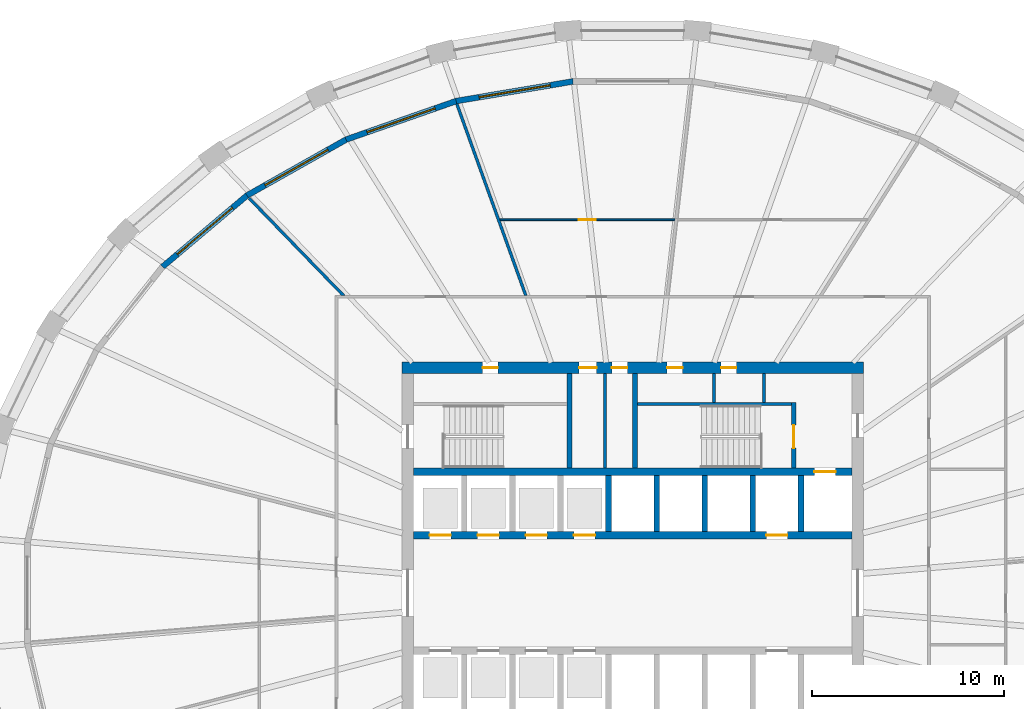
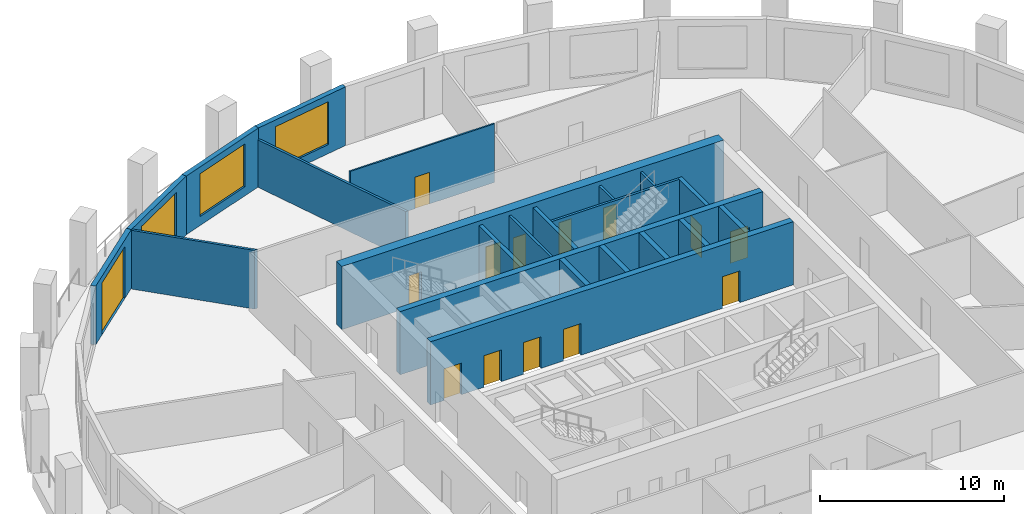
# One storey, part 6 of 11: 22 walls, 14 doors, 3 windows, 17 openings.
"""IFC4 building model written with IfcOpenShell, lengths in metres."""

from ifc_helpers import new_model, si_unit, direction, frame, frame_2d, origin, place, context, subcontext, project, spatial, polyline, rectangle, outline, extrude, material, layer, layer_set, type_object, element, fill, save


model = new_model("IFC4")

# Units and contexts
model_context = context("Model", 3, precision=1e-05, world=origin(), true_north=direction((0.0, 1.0)))
body_context = subcontext(model_context, "Body", "Model", "MODEL_VIEW")
ifc_project = project(units=[si_unit("LENGTHUNIT", "METRE"), si_unit("AREAUNIT", "SQUARE_METRE"), si_unit("VOLUMEUNIT", "CUBIC_METRE"), si_unit("PLANEANGLEUNIT", "RADIAN"), si_unit("MASSUNIT", "GRAM", prefix="KILO")], contexts=[model_context])

# Site, building, storey
site_placement = place(None, origin())
site = spatial("IfcSite", under=ifc_project, at=site_placement, CompositionType="ELEMENT")
building_placement = place(site_placement, origin())
building = spatial("IfcBuilding", under=site, at=building_placement, Name="Halqa Exchange Tower", CompositionType="ELEMENT")
storey_placement = place(building_placement, frame((0.0, 0.0, 146.5)))
storey = spatial("IfcBuildingStorey", under=building, at=storey_placement, Name="L33", CompositionType="ELEMENT", Elevation=146.5)

# Walls
ifc_material_1 = material(Name="Fire-rated gypsum board")
ifc_layer_1 = layer(ifc_material_1, 0.14990234375)
ifc_layer_set_1 = layer_set([ifc_layer_1], Name="Fire-rated gypsum board")
wall_type_1 = type_object("IfcWallType", Name="Fire partition EI 60 150", PredefinedType="PARTITIONING", material=ifc_layer_set_1)
wall_1_placement = place(storey_placement, frame((-14.9921875, 15.423095703125, 0.0), z_axis=(0.0, 0.0, 1.0), x_axis=(-0.696328171708, 0.717723538199, 0.0)))
element("IfcWall", 1, at=wall_1_placement, inside=storey, type_object=wall_type_1, Name="L33-PWL-010", PredefinedType="PARTITIONING", context=body_context, shape_type="SweptSolid", body=[
    extrude(outline(polyline([(7.10888671875, 0.074951171875), (5.367919921875, 0.074951171875), (3.626953125, 0.074951171875), (1.885986328125, 0.074951171875), (0.14501953125, 0.074951171875), (0.0, -0.074462890625), (0.0, -0.074951171875), (1.77734375, -0.074951171875), (3.554443359375, -0.074951171875), (5.33154296875, -0.074951171875), (7.10888671875, -0.074951171875), (7.10888671875, 0.074951171875)])), origin(), (0.0, 0.0, 1.0), 3.89990234375),
])
wall_2_placement = place(storey_placement, frame((-9.136962890625, 25.423583984375, 0.0), z_axis=(0.0, 0.0, 1.0), x_axis=(0.338602834386, -0.940929391902, 0.0)))
element("IfcWall", 2, at=wall_2_placement, inside=storey, type_object=wall_type_1, Name="L33-PWL-013", PredefinedType="PARTITIONING", context=body_context, shape_type="SweptSolid", body=[
    extrude(outline(polyline([(0.0, -0.074951171875), (1.7578125, -0.074951171875), (3.515380859375, -0.074951171875), (5.273193359375, -0.074951171875), (7.03076171875, -0.074951171875), (8.78857421875, -0.074951171875), (10.546142578125, -0.074951171875), (10.599853515625, 0.07421875), (10.599853515625, 0.074951171875), (9.227294921875, 0.074951171875), (7.8544921875, 0.074951171875), (6.48193359375, 0.074951171875), (6.4814453125, 0.07421875), (6.4794921875, 0.074951171875), (4.86279296875, 0.074951171875), (3.246337890625, 0.074951171875), (1.6298828125, 0.074951171875), (0.01318359375, 0.074951171875), (0.00048828125, 0.003662109375), (0.0, -0.03857421875), (0.0, -0.074951171875)])), origin(), (0.0, 0.0, 1.0), 3.14697265625),
])

# Wall, opening, door
ifc_material_2 = material(Name="Gypsum board")
ifc_layer_2 = layer(ifc_material_2, 0.10009765625)
ifc_layer_set_2 = layer_set([ifc_layer_2], Name="Gypsum board")
wall_type_2 = type_object("IfcWallType", Name="Partition 100 gypsum", PredefinedType="PARTITIONING", material=ifc_layer_set_2)
wall_3_placement = place(storey_placement, frame((-6.907470703125, 19.39990234375, 0.0), z_axis=(0.0, 0.0, 1.0), x_axis=(1.0, 0.0, 0.0)))
wall_3 = element("IfcWall", 3, at=wall_3_placement, inside=storey, type_object=wall_type_2, Name="L33-PWL-014", PredefinedType="PARTITIONING", context=body_context, shape_type="SweptSolid", body=[
    extrude(outline(polyline([(0.035888671875, -0.050048828125), (1.847900390625, -0.050048828125), (3.659912109375, -0.050048828125), (5.471923828125, -0.050048828125), (7.283935546875, -0.050048828125), (9.095947265625, -0.050048828125), (9.107421875, 0.047119140625), (9.107421875, 0.050048828125), (7.285888671875, 0.050048828125), (5.46435546875, 0.050048828125), (3.64306640625, 0.050048828125), (1.821533203125, 0.050048828125), (0.0, 0.050048828125), (0.0, 0.04931640625), (0.035888671875, -0.050048828125)])), origin(), (0.0, 0.0, 1.0), 3.89990234375),
])
opening_1_placement = place(wall_3_placement, frame((4.1025390625, 0.0, 0.0)))
opening_1 = element("IfcOpeningElement", 4, at=opening_1_placement, cuts=wall_3, Name="Opening 10-19", PredefinedType="OPENING", context=body_context, shape_type="SweptSolid", body=[
    extrude(rectangle(XDim=0.89990234375, YDim=2.10009765625, at=frame_2d((0.449951171875, 1.050048828125))), frame((0.0, 0.06201171875, 0.0), z_axis=(0.0, -1.0, 0.0), x_axis=(1.0, 0.0, 0.0)), (0.0, 0.0, 1.0), 0.1240234375),
])
ifc_material_3 = material(Name="Timber door leaf", Category="wood")
door_type_1 = type_object("IfcDoorType", Name="Door 900 x 2100", OperationType="SINGLE_SWING_LEFT", PredefinedType="DOOR", material=ifc_material_3)
door_1_placement = place(opening_1_placement, frame((0.89990234375, 0.0, 0.0), z_axis=(0.0, 0.0, 1.0), x_axis=(-1.0, 0.0, 0.0)))
door_1 = element("IfcDoor", 5, at=door_1_placement, inside=storey, type_object=door_type_1, Name="L33-IDR-019", OperationType="SINGLE_SWING_RIGHT", OverallHeight=2.10009765625, OverallWidth=0.89990234375, PredefinedType="DOOR", context=body_context, shape_type="SweptSolid", body=[
    extrude(rectangle(XDim=0.89990234375, YDim=2.10009765625, at=frame_2d((0.449951171875, 1.050048828125))), frame((0.0, 0.02490234375, 0.0), z_axis=(0.0, -1.0, 0.0), x_axis=(1.0, 0.0, 0.0)), (0.0, 0.0, 1.0), 0.050048828125),
])
fill(opening_1, door_1)

# Walls
ifc_layer_3 = layer(ifc_material_2, 0.14990234375)
ifc_layer_set_3 = layer_set([ifc_layer_3], Name="Gypsum board")
wall_type_3 = type_object("IfcWallType", Name="Penthouse riser wall 150 gypsum", PredefinedType="PARTITIONING", material=ifc_layer_set_3)
wall_4_placement = place(storey_placement, frame((-1.425048828125, 6.5, 0.0), z_axis=(0.0, 0.0, 1.0), x_axis=(0.0, 1.0, 0.0)))
element("IfcWall", 6, at=wall_4_placement, inside=storey, type_object=wall_type_3, Name="Partition W1.425 N", PredefinedType="PARTITIONING", context=body_context, shape_type="SweptSolid", body=[
    extrude(rectangle(XDim=4.89990234375, YDim=0.14990234375, at=frame_2d((2.449951171875, 0.0))), origin(), (0.0, 0.0, 1.0), 3.89990234375),
])
for number, where, z_axis, x_axis, name in (
    (7, (4.22509765625, 9.89990234375, 0.0), (0.0, 0.0, 1.0), (0.0, 1.0, 0.0), "Partition E4.225 N"),
    (8, (6.824951171875, 9.89990234375, 0.0), (0.0, 0.0, 1.0), (0.0, 1.0, 0.0), "Firefighting lobby west wall N"),
):
    element("IfcWall", number, at=place(storey_placement, frame(where, z_axis=z_axis, x_axis=x_axis)), inside=storey, type_object=wall_type_3, Name=name, PredefinedType="PARTITIONING", context=body_context, shape_type="SweptSolid", body=[
        extrude(rectangle(XDim=1.5, YDim=0.14990234375, at=frame_2d((0.75, 0.0))), origin(), (0.0, 0.0, 1.0), 3.89990234375),
    ])
ifc_material_4 = material(Name="Concrete C60/75", Category="concrete")
ifc_layer_4 = layer(ifc_material_4, 0.300048828125)
ifc_layer_set_4 = layer_set([ifc_layer_4], Name="Concrete C60/75")
wall_type_4 = type_object("IfcWallType", Name="RC core wall 300", PredefinedType="SHEAR", material=ifc_layer_set_4)
for number, where, z_axis, x_axis, name in (
    (9, (-1.25, 3.199951171875, 0.0), (0.0, 0.0, 1.0), (0.0, 1.0, 0.0), "Shaft divider N4"),
    (10, (1.25, 3.199951171875, 0.0), (0.0, 0.0, 1.0), (0.0, 1.0, 0.0), "Shaft divider N5"),
    (11, (3.75, 3.199951171875, 0.0), (0.0, 0.0, 1.0), (0.0, 1.0, 0.0), "Shaft divider N6"),
    (12, (6.25, 3.199951171875, 0.0), (0.0, 0.0, 1.0), (0.0, 1.0, 0.0), "Shaft divider N7"),
    (13, (8.75, 3.199951171875, 0.0), (0.0, 0.0, 1.0), (0.0, 1.0, 0.0), "Shaft divider N8"),
):
    element("IfcWall", number, at=place(storey_placement, frame(where, z_axis=z_axis, x_axis=x_axis)), inside=storey, type_object=wall_type_4, Name=name, PredefinedType="SHEAR", context=body_context, shape_type="SweptSolid", body=[
        extrude(rectangle(XDim=2.900146484375, YDim=0.300048828125, at=frame_2d((1.4501953125, 0.0))), origin(), (0.0, 0.0, 1.0), 4.199951171875),
    ])

# Wall, openings, doors
ifc_material_5 = material(Name="Concrete C70/85", Category="concrete")
ifc_layer_5 = layer(ifc_material_5, 0.39990234375)
ifc_layer_set_5 = layer_set([ifc_layer_5], Name="Concrete C70/85")
wall_type_5 = type_object("IfcWallType", Name="RC core wall 400 C70/85", PredefinedType="SHEAR", material=ifc_layer_set_5)
wall_5_placement = place(storey_placement, frame((-11.39990234375, 3.0, 0.0), z_axis=(0.0, 0.0, 1.0), x_axis=(1.0, 0.0, 0.0)))
wall_5 = element("IfcWall", 14, at=wall_5_placement, inside=storey, type_object=wall_type_5, Name="Lift row front wall N", PredefinedType="SHEAR", context=body_context, shape_type="SweptSolid", body=[
    extrude(rectangle(XDim=22.7998046875, YDim=0.39990234375, at=frame_2d((11.39990234375, 0.0))), origin(), (0.0, 0.0, 1.0), 4.199951171875),
])
opening_2_placement = place(wall_5_placement, frame((0.85009765625, 0.0, 0.0)))
opening_2 = element("IfcOpeningElement", 15, at=opening_2_placement, cuts=wall_5, Name="Opening LD-LR1-T10", PredefinedType="OPENING", context=body_context, shape_type="SweptSolid", body=[
    extrude(rectangle(XDim=1.10009765625, YDim=2.10009765625, at=frame_2d((0.550048828125, 1.050048828125))), frame((0.0, 0.2119140625, 0.0), z_axis=(0.0, -1.0, 0.0), x_axis=(1.0, 0.0, 0.0)), (0.0, 0.0, 1.0), 0.423828125),
])
opening_3_placement = place(wall_5_placement, frame((3.35009765625, 0.0, 0.0)))
opening_3 = element("IfcOpeningElement", 16, at=opening_3_placement, cuts=wall_5, Name="Opening LD-LR2-T10", PredefinedType="OPENING", context=body_context, shape_type="SweptSolid", body=[
    extrude(rectangle(XDim=1.10009765625, YDim=2.10009765625, at=frame_2d((0.550048828125, 1.050048828125))), frame((0.0, 0.2119140625, 0.0), z_axis=(0.0, -1.0, 0.0), x_axis=(1.0, 0.0, 0.0)), (0.0, 0.0, 1.0), 0.423828125),
])
opening_4_placement = place(wall_5_placement, frame((5.85009765625, 0.0, 0.0)))
opening_4 = element("IfcOpeningElement", 17, at=opening_4_placement, cuts=wall_5, Name="Opening LD-LR3-T10", PredefinedType="OPENING", context=body_context, shape_type="SweptSolid", body=[
    extrude(rectangle(XDim=1.10009765625, YDim=2.10009765625, at=frame_2d((0.550048828125, 1.050048828125))), frame((0.0, 0.2119140625, 0.0), z_axis=(0.0, -1.0, 0.0), x_axis=(1.0, 0.0, 0.0)), (0.0, 0.0, 1.0), 0.423828125),
])
opening_5_placement = place(wall_5_placement, frame((8.35009765625, 0.0, 0.0)))
opening_5 = element("IfcOpeningElement", 18, at=opening_5_placement, cuts=wall_5, Name="Opening LD-LR4-T10", PredefinedType="OPENING", context=body_context, shape_type="SweptSolid", body=[
    extrude(rectangle(XDim=1.10009765625, YDim=2.10009765625, at=frame_2d((0.550048828125, 1.050048828125))), frame((0.0, 0.2119140625, 0.0), z_axis=(0.0, -1.0, 0.0), x_axis=(1.0, 0.0, 0.0)), (0.0, 0.0, 1.0), 0.423828125),
])
opening_6_placement = place(wall_5_placement, frame((18.35009765625, 0.0, 0.0)))
opening_6 = element("IfcOpeningElement", 19, at=opening_6_placement, cuts=wall_5, Name="Opening LD-SV1-T10", PredefinedType="OPENING", context=body_context, shape_type="SweptSolid", body=[
    extrude(rectangle(XDim=1.10009765625, YDim=2.10009765625, at=frame_2d((0.550048828125, 1.050048828125))), frame((0.0, 0.2119140625, 0.0), z_axis=(0.0, -1.0, 0.0), x_axis=(1.0, 0.0, 0.0)), (0.0, 0.0, 1.0), 0.423828125),
])
ifc_material_6 = material(Name="Stainless steel", Category="steel")
door_type_2 = type_object("IfcDoorType", Name="Lift landing door 1100 x 2100", OperationType="SLIDING_TO_LEFT", PredefinedType="DOOR", material=ifc_material_6)
door_2_placement = place(opening_2_placement, origin())
door_2 = element("IfcDoor", 20, at=door_2_placement, inside=storey, type_object=door_type_2, Name="Lift landing door LR1", OperationType="SLIDING_TO_LEFT", OverallHeight=2.10009765625, OverallWidth=1.10009765625, PredefinedType="DOOR", context=body_context, shape_type="SweptSolid", body=[
    extrude(rectangle(XDim=1.10009765625, YDim=2.10009765625, at=frame_2d((0.550048828125, 1.050048828125))), frame((0.0, 0.02490234375, 0.0), z_axis=(0.0, -1.0, 0.0), x_axis=(1.0, 0.0, 0.0)), (0.0, 0.0, 1.0), 0.050048828125),
])
fill(opening_2, door_2)
door_3_placement = place(opening_3_placement, origin())
door_3 = element("IfcDoor", 21, at=door_3_placement, inside=storey, type_object=door_type_2, Name="Lift landing door LR2", OperationType="SLIDING_TO_LEFT", OverallHeight=2.10009765625, OverallWidth=1.10009765625, PredefinedType="DOOR", context=body_context, shape_type="SweptSolid", body=[
    extrude(rectangle(XDim=1.10009765625, YDim=2.10009765625, at=frame_2d((0.550048828125, 1.050048828125))), frame((0.0, 0.02490234375, 0.0), z_axis=(0.0, -1.0, 0.0), x_axis=(1.0, 0.0, 0.0)), (0.0, 0.0, 1.0), 0.050048828125),
])
fill(opening_3, door_3)
door_4_placement = place(opening_4_placement, origin())
door_4 = element("IfcDoor", 22, at=door_4_placement, inside=storey, type_object=door_type_2, Name="Lift landing door LR3", OperationType="SLIDING_TO_LEFT", OverallHeight=2.10009765625, OverallWidth=1.10009765625, PredefinedType="DOOR", context=body_context, shape_type="SweptSolid", body=[
    extrude(rectangle(XDim=1.10009765625, YDim=2.10009765625, at=frame_2d((0.550048828125, 1.050048828125))), frame((0.0, 0.02490234375, 0.0), z_axis=(0.0, -1.0, 0.0), x_axis=(1.0, 0.0, 0.0)), (0.0, 0.0, 1.0), 0.050048828125),
])
fill(opening_4, door_4)
door_5_placement = place(opening_5_placement, origin())
door_5 = element("IfcDoor", 23, at=door_5_placement, inside=storey, type_object=door_type_2, Name="Lift landing door LR4", OperationType="SLIDING_TO_LEFT", OverallHeight=2.10009765625, OverallWidth=1.10009765625, PredefinedType="DOOR", context=body_context, shape_type="SweptSolid", body=[
    extrude(rectangle(XDim=1.10009765625, YDim=2.10009765625, at=frame_2d((0.550048828125, 1.050048828125))), frame((0.0, 0.02490234375, 0.0), z_axis=(0.0, -1.0, 0.0), x_axis=(1.0, 0.0, 0.0)), (0.0, 0.0, 1.0), 0.050048828125),
])
fill(opening_5, door_5)
door_6_placement = place(opening_6_placement, origin())
door_6 = element("IfcDoor", 24, at=door_6_placement, inside=storey, type_object=door_type_2, Name="Lift landing door SV1", OperationType="SLIDING_TO_LEFT", OverallHeight=2.10009765625, OverallWidth=1.10009765625, PredefinedType="DOOR", context=body_context, shape_type="SweptSolid", body=[
    extrude(rectangle(XDim=1.10009765625, YDim=2.10009765625, at=frame_2d((0.550048828125, 1.050048828125))), frame((0.0, 0.02490234375, 0.0), z_axis=(0.0, -1.0, 0.0), x_axis=(1.0, 0.0, 0.0)), (0.0, 0.0, 1.0), 0.050048828125),
])
fill(opening_6, door_6)

# Wall, opening, door
wall_6_placement = place(storey_placement, frame((-11.39990234375, 6.300048828125, 0.0), z_axis=(0.0, 0.0, 1.0), x_axis=(1.0, 0.0, 0.0)))
wall_6 = element("IfcWall", 25, at=wall_6_placement, inside=storey, type_object=wall_type_5, Name="Lift row back wall N", PredefinedType="SHEAR", context=body_context, shape_type="SweptSolid", body=[
    extrude(rectangle(XDim=22.7998046875, YDim=0.39990234375, at=frame_2d((11.39990234375, 0.0))), origin(), (0.0, 0.0, 1.0), 4.199951171875),
])
opening_7_placement = place(wall_6_placement, frame((20.85009765625, 0.0, 0.0)))
opening_7 = element("IfcOpeningElement", 26, at=opening_7_placement, cuts=wall_6, Name="Opening LD-FF1-T10", PredefinedType="OPENING", context=body_context, shape_type="SweptSolid", body=[
    extrude(rectangle(XDim=1.10009765625, YDim=2.10009765625, at=frame_2d((0.550048828125, 1.050048828125))), frame((0.0, 0.2119140625, 0.0), z_axis=(0.0, -1.0, 0.0), x_axis=(1.0, 0.0, 0.0)), (0.0, 0.0, 1.0), 0.423828125),
])
door_7_placement = place(opening_7_placement, origin())
door_7 = element("IfcDoor", 27, at=door_7_placement, inside=storey, type_object=door_type_2, Name="Lift landing door FF1", OperationType="SLIDING_TO_LEFT", OverallHeight=2.10009765625, OverallWidth=1.10009765625, PredefinedType="DOOR", context=body_context, shape_type="SweptSolid", body=[
    extrude(rectangle(XDim=1.10009765625, YDim=2.10009765625, at=frame_2d((0.550048828125, 1.050048828125))), frame((0.0, 0.02490234375, 0.0), z_axis=(0.0, -1.0, 0.0), x_axis=(1.0, 0.0, 0.0)), (0.0, 0.0, 1.0), 0.050048828125),
])
fill(opening_7, door_7)

# Wall, openings, doors
ifc_layer_6 = layer(ifc_material_5, 0.60009765625)
ifc_layer_set_6 = layer_set([ifc_layer_6], Name="Concrete C70/85")
wall_type_6 = type_object("IfcWallType", Name="RC core wall 600 C70/85", PredefinedType="SHEAR", material=ifc_layer_set_6)
wall_7_placement = place(storey_placement, frame((-12.0, 11.699951171875, 0.0), z_axis=(0.0, 0.0, 1.0), x_axis=(1.0, 0.0, 0.0)))
wall_7 = element("IfcWall", 28, at=wall_7_placement, inside=storey, type_object=wall_type_6, Name="Core wall north", PredefinedType="SHEAR", context=body_context, shape_type="SweptSolid", body=[
    extrude(rectangle(XDim=24.0, YDim=0.60009765625, at=frame_2d((12.0, 0.0))), origin(), (0.0, 0.0, 1.0), 4.199951171875),
])
opening_8_placement = place(wall_7_placement, frame((9.22509765625, 0.0, 0.0)))
opening_8 = element("IfcOpeningElement", 29, at=opening_8_placement, cuts=wall_7, Name="Opening T10-C21", PredefinedType="OPENING", context=body_context, shape_type="SweptSolid", body=[
    extrude(rectangle(XDim=0.89990234375, YDim=2.10009765625, at=frame_2d((0.449951171875, 1.050048828125))), frame((0.0, 0.31201171875, 0.0), z_axis=(0.0, -1.0, 0.0), x_axis=(1.0, 0.0, 0.0)), (0.0, 0.0, 1.0), 0.6240234375),
])
opening_9_placement = place(wall_7_placement, frame((10.925048828125, 0.0, 0.0)))
opening_9 = element("IfcOpeningElement", 30, at=opening_9_placement, cuts=wall_7, Name="Opening T10-C22", PredefinedType="OPENING", context=body_context, shape_type="SweptSolid", body=[
    extrude(rectangle(XDim=0.800048828125, YDim=2.10009765625, at=frame_2d((0.39990234375, 1.050048828125))), frame((0.0, 0.31201171875, 0.0), z_axis=(0.0, -1.0, 0.0), x_axis=(1.0, 0.0, 0.0)), (0.0, 0.0, 1.0), 0.6240234375),
])
opening_10_placement = place(wall_7_placement, frame((4.199951171875, 0.0, 0.0)))
opening_10 = element("IfcOpeningElement", 31, at=opening_10_placement, cuts=wall_7, Name="Opening T10-C23", PredefinedType="OPENING", context=body_context, shape_type="SweptSolid", body=[
    extrude(rectangle(XDim=0.800048828125, YDim=2.10009765625, at=frame_2d((0.39990234375, 1.050048828125))), frame((0.0, 0.31201171875, 0.0), z_axis=(0.0, -1.0, 0.0), x_axis=(1.0, 0.0, 0.0)), (0.0, 0.0, 1.0), 0.6240234375),
])
opening_11_placement = place(wall_7_placement, frame((13.800048828125, 0.0, 0.0)))
opening_11 = element("IfcOpeningElement", 32, at=opening_11_placement, cuts=wall_7, Name="Opening T10-C24", PredefinedType="OPENING", context=body_context, shape_type="SweptSolid", body=[
    extrude(rectangle(XDim=0.800048828125, YDim=2.10009765625, at=frame_2d((0.39990234375, 1.050048828125))), frame((0.0, 0.31201171875, 0.0), z_axis=(0.0, -1.0, 0.0), x_axis=(1.0, 0.0, 0.0)), (0.0, 0.0, 1.0), 0.6240234375),
])
opening_12_placement = place(wall_7_placement, frame((16.60009765625, 0.0, 0.0)))
opening_12 = element("IfcOpeningElement", 33, at=opening_12_placement, cuts=wall_7, Name="Opening T10-C25", PredefinedType="OPENING", context=body_context, shape_type="SweptSolid", body=[
    extrude(rectangle(XDim=0.800048828125, YDim=2.10009765625, at=frame_2d((0.39990234375, 1.050048828125))), frame((0.0, 0.31201171875, 0.0), z_axis=(0.0, -1.0, 0.0), x_axis=(1.0, 0.0, 0.0)), (0.0, 0.0, 1.0), 0.6240234375),
])
ifc_material_7 = material(Name="Timber fire door leaf", Category="wood")
door_type_3 = type_object("IfcDoorType", Name="Core room door FD30 900 x 2100", OperationType="SINGLE_SWING_LEFT", PredefinedType="DOOR", material=ifc_material_7)
door_8_placement = place(opening_8_placement, frame((0.89990234375, 0.0, 0.0), z_axis=(0.0, 0.0, 1.0), x_axis=(-1.0, 0.0, 0.0)))
door_8 = element("IfcDoor", 34, at=door_8_placement, inside=storey, type_object=door_type_3, Name="Core room door", OperationType="SINGLE_SWING_RIGHT", OverallHeight=2.10009765625, OverallWidth=0.89990234375, PredefinedType="DOOR", context=body_context, shape_type="SweptSolid", body=[
    extrude(rectangle(XDim=0.89990234375, YDim=2.10009765625, at=frame_2d((0.449951171875, 1.050048828125))), frame((0.0, 0.02490234375, 0.0), z_axis=(0.0, -1.0, 0.0), x_axis=(1.0, 0.0, 0.0)), (0.0, 0.0, 1.0), 0.050048828125),
])
fill(opening_8, door_8)
ifc_material_8 = material(Name="Steel fire door leaf", Category="steel")
door_type_4 = type_object("IfcDoorType", Name="Riser door FD60 800 x 2100", OperationType="SINGLE_SWING_LEFT", PredefinedType="DOOR", material=ifc_material_8)
door_9_placement = place(opening_9_placement, frame((0.800048828125, 0.0, 0.0), z_axis=(0.0, 0.0, 1.0), x_axis=(-1.0, 0.0, 0.0)))
door_9 = element("IfcDoor", 35, at=door_9_placement, inside=storey, type_object=door_type_4, Name="Core room door", OperationType="SINGLE_SWING_RIGHT", OverallHeight=2.10009765625, OverallWidth=0.800048828125, PredefinedType="DOOR", context=body_context, shape_type="SweptSolid", body=[
    extrude(rectangle(XDim=0.800048828125, YDim=2.10009765625, at=frame_2d((0.39990234375, 1.050048828125))), frame((0.0, 0.02490234375, 0.0), z_axis=(0.0, -1.0, 0.0), x_axis=(1.0, 0.0, 0.0)), (0.0, 0.0, 1.0), 0.050048828125),
])
fill(opening_9, door_9)
door_10_placement = place(opening_10_placement, frame((0.800048828125, 0.0, 0.0), z_axis=(0.0, 0.0, 1.0), x_axis=(-1.0, 0.0, 0.0)))
door_10 = element("IfcDoor", 36, at=door_10_placement, inside=storey, type_object=door_type_4, Name="Core room door", OperationType="SINGLE_SWING_RIGHT", OverallHeight=2.10009765625, OverallWidth=0.800048828125, PredefinedType="DOOR", context=body_context, shape_type="SweptSolid", body=[
    extrude(rectangle(XDim=0.800048828125, YDim=2.10009765625, at=frame_2d((0.39990234375, 1.050048828125))), frame((0.0, 0.02490234375, 0.0), z_axis=(0.0, -1.0, 0.0), x_axis=(1.0, 0.0, 0.0)), (0.0, 0.0, 1.0), 0.050048828125),
])
fill(opening_10, door_10)
door_11_placement = place(opening_11_placement, frame((0.800048828125, 0.0, 0.0), z_axis=(0.0, 0.0, 1.0), x_axis=(-1.0, 0.0, 0.0)))
door_11 = element("IfcDoor", 37, at=door_11_placement, inside=storey, type_object=door_type_4, Name="Core room door", OperationType="SINGLE_SWING_LEFT", OverallHeight=2.10009765625, OverallWidth=0.800048828125, PredefinedType="DOOR", context=body_context, shape_type="SweptSolid", body=[
    extrude(rectangle(XDim=0.800048828125, YDim=2.10009765625, at=frame_2d((0.39990234375, 1.050048828125))), frame((0.0, 0.02490234375, 0.0), z_axis=(0.0, -1.0, 0.0), x_axis=(1.0, 0.0, 0.0)), (0.0, 0.0, 1.0), 0.050048828125),
])
fill(opening_11, door_11)
door_12_placement = place(opening_12_placement, frame((0.800048828125, 0.0, 0.0), z_axis=(0.0, 0.0, 1.0), x_axis=(-1.0, 0.0, 0.0)))
door_12 = element("IfcDoor", 38, at=door_12_placement, inside=storey, type_object=door_type_4, Name="Core room door", OperationType="SINGLE_SWING_LEFT", OverallHeight=2.10009765625, OverallWidth=0.800048828125, PredefinedType="DOOR", context=body_context, shape_type="SweptSolid", body=[
    extrude(rectangle(XDim=0.800048828125, YDim=2.10009765625, at=frame_2d((0.39990234375, 1.050048828125))), frame((0.0, 0.02490234375, 0.0), z_axis=(0.0, -1.0, 0.0), x_axis=(1.0, 0.0, 0.0)), (0.0, 0.0, 1.0), 0.050048828125),
])
fill(opening_12, door_12)

# Walls
ifc_material_9 = material(Name="Concrete C30/37", Category="concrete")
ifc_layer_7 = layer(ifc_material_9, 0.14990234375)
ifc_layer_set_7 = layer_set([ifc_layer_7], Name="Concrete C30/37")
wall_type_7 = type_object("IfcWallType", Name="RC stair wall 150 C30/37", PredefinedType="SHEAR", material=ifc_layer_set_7)
wall_8_placement = place(storey_placement, frame((0.25, 9.824951171875, 0.0), z_axis=(0.0, 0.0, 1.0), x_axis=(1.0, 0.0, 0.0)))
element("IfcWall", 39, at=wall_8_placement, inside=storey, type_object=wall_type_7, Name="Stair ST2 north wall N", PredefinedType="SHEAR", context=body_context, shape_type="SweptSolid", body=[
    extrude(rectangle(XDim=8.0, YDim=0.14990234375, at=frame_2d((4.0, 0.0))), origin(), (0.0, 0.0, 1.0), 3.89990234375),
])
ifc_layer_8 = layer(ifc_material_9, 0.25)
ifc_layer_set_8 = layer_set([ifc_layer_8], Name="Concrete C30/37")
wall_type_8 = type_object("IfcWallType", Name="RC stair wall 250 C30/37", PredefinedType="SHEAR", material=ifc_layer_set_8)
for number, where, z_axis, x_axis, name in (
    (40, (-3.27490234375, 6.5, 0.0), (0.0, 0.0, 1.0), (0.0, 1.0, 0.0), "Stair ST1 east wall N"),
    (41, (0.125, 6.5, 0.0), (0.0, 0.0, 1.0), (0.0, 1.0, 0.0), "Stair ST2 west wall N"),
):
    element("IfcWall", number, at=place(storey_placement, frame(where, z_axis=z_axis, x_axis=x_axis)), inside=storey, type_object=wall_type_8, Name=name, PredefinedType="SHEAR", context=body_context, shape_type="SweptSolid", body=[
        extrude(rectangle(XDim=4.89990234375, YDim=0.25, at=frame_2d((2.449951171875, 0.0))), origin(), (0.0, 0.0, 1.0), 3.89990234375),
    ])

# Wall, opening, door
wall_9_placement = place(storey_placement, frame((8.375, 6.5, 0.0), z_axis=(0.0, 0.0, 1.0), x_axis=(0.0, 1.0, 0.0)))
wall_9 = element("IfcWall", 42, at=wall_9_placement, inside=storey, type_object=wall_type_8, Name="Stair ST2 east wall N", PredefinedType="SHEAR", context=body_context, shape_type="SweptSolid", body=[
    extrude(rectangle(XDim=3.39990234375, YDim=0.25, at=frame_2d((1.699951171875, 0.0))), origin(), (0.0, 0.0, 1.0), 3.89990234375),
])
opening_13_placement = place(wall_9_placement, frame((1.02490234375, 0.0, 0.0)))
opening_13 = element("IfcOpeningElement", 43, at=opening_13_placement, cuts=wall_9, Name="Opening T10-C16", PredefinedType="OPENING", context=body_context, shape_type="SweptSolid", body=[
    extrude(rectangle(XDim=1.199951171875, YDim=2.10009765625, at=frame_2d((0.60009765625, 1.050048828125))), frame((0.0, 0.136962890625, 0.0), z_axis=(0.0, -1.0, 0.0), x_axis=(1.0, 0.0, 0.0)), (0.0, 0.0, 1.0), 0.27392578125),
])
door_type_5 = type_object("IfcDoorType", Name="Stair door FD90 1200 x 2100", OperationType="SINGLE_SWING_LEFT", PredefinedType="DOOR", material=ifc_material_8)
door_13_placement = place(opening_13_placement, origin())
door_13 = element("IfcDoor", 44, at=door_13_placement, inside=storey, type_object=door_type_5, Name="Stair door ST2", OperationType="SINGLE_SWING_LEFT", OverallHeight=2.10009765625, OverallWidth=1.199951171875, PredefinedType="DOOR", context=body_context, shape_type="SweptSolid", body=[
    extrude(rectangle(XDim=1.199951171875, YDim=2.10009765625, at=frame_2d((0.60009765625, 1.050048828125))), frame((0.0, 0.02490234375, 0.0), z_axis=(0.0, -1.0, 0.0), x_axis=(1.0, 0.0, 0.0)), (0.0, 0.0, 1.0), 0.050048828125),
])
fill(opening_13, door_13)

# Wall, opening, window
ifc_material_10 = material(Name="Limestone cladding", Category="masonry")
ifc_layer_9 = layer(ifc_material_10, 0.0400390625)
ifc_material_11 = material(Name="Ventilated cavity")
ifc_layer_10 = layer(ifc_material_11, 0.030029296875, ventilated=True)
ifc_material_12 = material(Name="Mineral wool insulation")
ifc_layer_11 = layer(ifc_material_12, 0.10009765625)
ifc_layer_12 = layer(ifc_material_9, 0.10009765625)
ifc_material_13 = material(Name="Internal plaster")
ifc_layer_13 = layer(ifc_material_13, 0.030029296875)
ifc_layer_set_9 = layer_set([ifc_layer_9, ifc_layer_10, ifc_layer_11, ifc_layer_12, ifc_layer_13], Name="Stone-faced insulated wall 300")
wall_type_9 = type_object("IfcWallType", Name="Stone-faced insulated wall 300", PredefinedType="STANDARD", material=ifc_layer_set_9)
wall_10_placement = place(storey_placement, frame((-3.096435546875, 26.590576171875, 0.0), z_axis=(0.0, 0.0, 1.0), x_axis=(-0.986186393203, -0.165639360845, 0.0)))
wall_10 = element("IfcWall", 45, at=wall_10_placement, inside=storey, type_object=wall_type_9, Name="Glass-line wall 9", PredefinedType="STANDARD", context=body_context, shape_type="SweptSolid", body=[
    extrude(outline(polyline([(-0.012451171875, -0.14990234375), (6.17236328125, -0.14990234375), (6.14697265625, 0.14990234375), (0.012451171875, 0.14990234375), (-0.012451171875, -0.14990234375)])), origin(), (0.0, 0.0, 1.0), 3.89990234375),
])
opening_14_placement = place(wall_10_placement, frame((1.20458984375, 0.0, 0.60009765625)))
opening_14 = element("IfcOpeningElement", 46, at=opening_14_placement, cuts=wall_10, Name="Opening W-F2-09", PredefinedType="OPENING", context=body_context, shape_type="SweptSolid", body=[
    extrude(rectangle(XDim=3.75, YDim=2.85009765625, at=frame_2d((1.875, 1.425048828125))), frame((0.0, 0.162109375, 0.0), z_axis=(0.0, -1.0, 0.0), x_axis=(1.0, 0.0, 0.0)), (0.0, 0.0, 1.0), 0.323974609375),
])
ifc_material_14 = material(Name="Clear low-emissivity glass in aluminium frame", Category="aluminium")
window_type = type_object("IfcWindowType", Name="Fixed clear glazed window 3750 x 2850", PartitioningType="TRIPLE_PANEL_VERTICAL", PredefinedType="WINDOW", material=ifc_material_14)
window_1_placement = place(opening_14_placement, origin())
window_1 = element("IfcWindow", 47, at=window_1_placement, inside=storey, type_object=window_type, Name="Window 2", OverallHeight=2.85009765625, OverallWidth=3.75, PartitioningType="TRIPLE_PANEL_VERTICAL", PredefinedType="WINDOW", context=body_context, shape_type="SweptSolid", body=[
    extrude(rectangle(XDim=3.75, YDim=2.85009765625, at=frame_2d((1.875, 1.425048828125))), frame((0.0, 0.030029296875, 0.0), z_axis=(0.0, -1.0, 0.0), x_axis=(1.0, 0.0, 0.0)), (0.0, 0.0, 1.0), 0.06005859375),
])
fill(opening_14, window_1)

wall_11_placement = place(storey_placement, frame((-9.1708984375, 25.5703125, 0.0), z_axis=(0.0, 0.0, 1.0), x_axis=(-0.943925510212, -0.330158494016, 0.0)))
wall_11 = element("IfcWall", 48, at=wall_11_placement, inside=storey, type_object=wall_type_9, Name="Glass-line wall 10", PredefinedType="STANDARD", context=body_context, shape_type="SweptSolid", body=[
    extrude(outline(polyline([(-0.0126953125, -0.14990234375), (6.076416015625, -0.14990234375), (6.049560546875, 0.14990234375), (0.0126953125, 0.14990234375), (-0.0126953125, -0.14990234375)])), origin(), (0.0, 0.0, 1.0), 3.89990234375),
])
opening_15_placement = place(wall_11_placement, frame((1.156494140625, 0.0, 0.60009765625)))
opening_15 = element("IfcOpeningElement", 49, at=opening_15_placement, cuts=wall_11, Name="Opening W-F2-10", PredefinedType="OPENING", context=body_context, shape_type="SweptSolid", body=[
    extrude(rectangle(XDim=3.75, YDim=2.85009765625, at=frame_2d((1.875, 1.425048828125))), frame((0.0, 0.162109375, 0.0), z_axis=(0.0, -1.0, 0.0), x_axis=(1.0, 0.0, 0.0)), (0.0, 0.0, 1.0), 0.323974609375),
])
window_2_placement = place(opening_15_placement, origin())
window_2 = element("IfcWindow", 50, at=window_2_placement, inside=storey, type_object=window_type, Name="Window 2", OverallHeight=2.85009765625, OverallWidth=3.75, PartitioningType="TRIPLE_PANEL_VERTICAL", PredefinedType="WINDOW", context=body_context, shape_type="SweptSolid", body=[
    extrude(rectangle(XDim=3.75, YDim=2.85009765625, at=frame_2d((1.875, 1.425048828125))), frame((0.0, 0.030029296875, 0.0), z_axis=(0.0, -1.0, 0.0), x_axis=(1.0, 0.0, 0.0)), (0.0, 0.0, 1.0), 0.06005859375),
])
fill(opening_15, window_2)

wall_12_placement = place(storey_placement, frame((-14.893798828125, 23.568603515625, 0.0), z_axis=(0.0, 0.0, 1.0), x_axis=(-0.870912346166, -0.491438384028, 0.0)))
wall_12 = element("IfcWall", 51, at=wall_12_placement, inside=storey, type_object=wall_type_9, Name="Glass-line wall 11", PredefinedType="STANDARD", context=body_context, shape_type="SweptSolid", body=[
    extrude(outline(polyline([(-0.013427734375, -0.14990234375), (5.929931640625, -0.14990234375), (5.901611328125, 0.14990234375), (0.013427734375, 0.14990234375), (-0.013427734375, -0.14990234375)])), origin(), (0.0, 0.0, 1.0), 3.89990234375),
])
opening_16_placement = place(wall_12_placement, frame((1.0830078125, 0.0, 0.60009765625)))
opening_16 = element("IfcOpeningElement", 52, at=opening_16_placement, cuts=wall_12, Name="Opening W-F2-11", PredefinedType="OPENING", context=body_context, shape_type="SweptSolid", body=[
    extrude(rectangle(XDim=3.75, YDim=2.85009765625, at=frame_2d((1.875, 1.425048828125))), frame((0.0, 0.162109375, 0.0), z_axis=(0.0, -1.0, 0.0), x_axis=(1.0, 0.0, 0.0)), (0.0, 0.0, 1.0), 0.323974609375),
])
window_3_placement = place(opening_16_placement, origin())
window_3 = element("IfcWindow", 53, at=window_3_placement, inside=storey, type_object=window_type, Name="Window 2", OverallHeight=2.85009765625, OverallWidth=3.75, PartitioningType="TRIPLE_PANEL_VERTICAL", PredefinedType="WINDOW", context=body_context, shape_type="SweptSolid", body=[
    extrude(rectangle(XDim=3.75, YDim=2.85009765625, at=frame_2d((1.875, 1.425048828125))), frame((0.0, 0.030029296875, 0.0), z_axis=(0.0, -1.0, 0.0), x_axis=(1.0, 0.0, 0.0)), (0.0, 0.0, 1.0), 0.06005859375),
])
fill(opening_16, window_3)

# Wall, opening, door
wall_13_placement = place(storey_placement, frame((-20.0458984375, 20.661376953125, 0.0), z_axis=(0.0, 0.0, 1.0), x_axis=(-0.764047627809, -0.64515984255, 0.0)))
wall_13 = element("IfcWall", 54, at=wall_13_placement, inside=storey, type_object=wall_type_9, Name="Glass-line wall 12", PredefinedType="STANDARD", context=body_context, shape_type="SweptSolid", body=[
    extrude(outline(polyline([(-0.01416015625, -0.14990234375), (5.752685546875, -0.14990234375), (5.722412109375, 0.14990234375), (0.01416015625, 0.14990234375), (-0.01416015625, -0.14990234375)])), origin(), (0.0, 0.0, 1.0), 3.89990234375),
])
opening_17_placement = place(wall_13_placement, frame((0.99365234375, 0.0, 0.0)))
opening_17 = element("IfcOpeningElement", 55, at=opening_17_placement, cuts=wall_13, Name="Opening LG-F2-03", PredefinedType="OPENING", context=body_context, shape_type="SweptSolid", body=[
    extrude(rectangle(XDim=3.75, YDim=3.449951171875, at=frame_2d((1.875, 1.72509765625))), frame((0.0, 0.162109375, 0.0), z_axis=(0.0, -1.0, 0.0), x_axis=(1.0, 0.0, 0.0)), (0.0, 0.0, 1.0), 0.323974609375),
])
door_type_6 = type_object("IfcDoorType", Name="Glazed sliding loggia door 3750 x 3450", OperationType="DOUBLE_DOOR_SLIDING", PredefinedType="DOOR", material=ifc_material_14)
door_14_placement = place(opening_17_placement, origin())
door_14 = element("IfcDoor", 56, at=door_14_placement, inside=storey, type_object=door_type_6, Name="Loggia door 3", OperationType="DOUBLE_DOOR_SLIDING", OverallHeight=3.449951171875, OverallWidth=3.75, PredefinedType="DOOR", context=body_context, shape_type="SweptSolid", body=[
    extrude(rectangle(XDim=3.75, YDim=3.449951171875, at=frame_2d((1.875, 1.72509765625))), frame((0.0, 0.02490234375, 0.0), z_axis=(0.0, -1.0, 0.0), x_axis=(1.0, 0.0, 0.0)), (0.0, 0.0, 1.0), 0.050048828125),
])
fill(opening_17, door_14)

save(model, "model.ifc")
